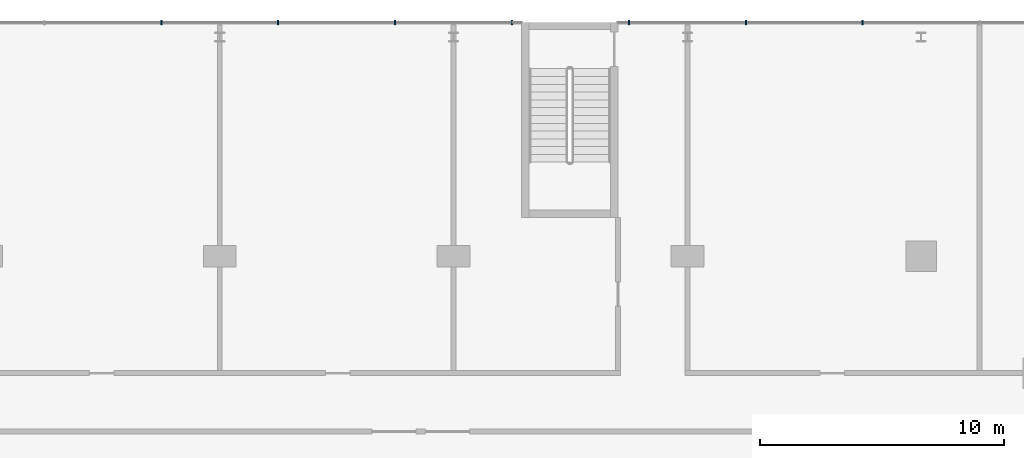
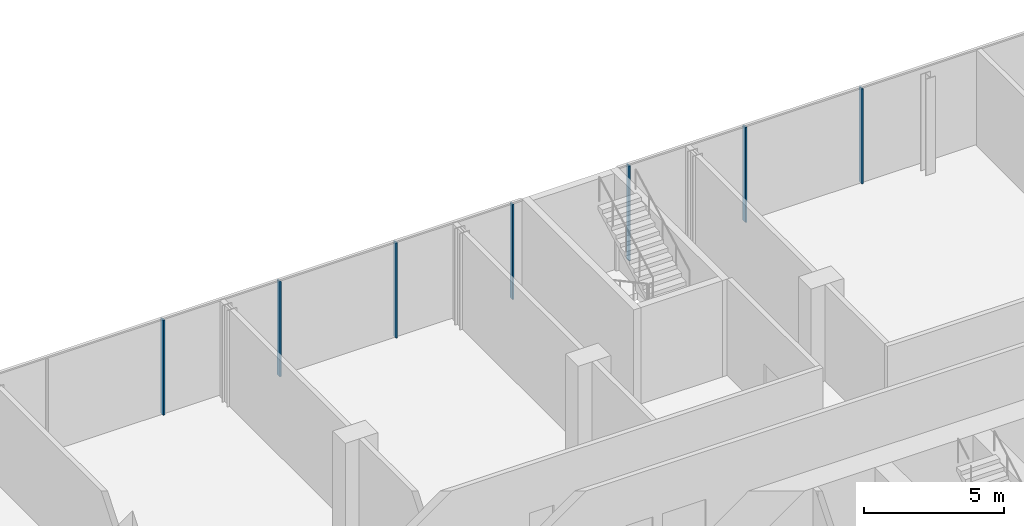
# One storey, part 19 of 45: 7 members, 1 element without a shape of its own.
"""IFC4 building model written with IfcOpenShell, lengths in metres."""

from ifc_helpers import new_model, si_unit, direction, frame, origin, origin_2d, place, context, subcontext, project, spatial, rectangle, extrude, material, layer, layer_set, material_profile, profile_set, type_object, element, aggregate, save


model = new_model("IFC4")

# Units and contexts
model_context = context("Model", 3, precision=1e-05, world=origin(), true_north=direction((0.0, 1.0)))
body_context = subcontext(model_context, "Body", "Model", "MODEL_VIEW")
ifc_project = project(units=[si_unit("LENGTHUNIT", "METRE"), si_unit("AREAUNIT", "SQUARE_METRE"), si_unit("VOLUMEUNIT", "CUBIC_METRE"), si_unit("PLANEANGLEUNIT", "RADIAN"), si_unit("MASSUNIT", "GRAM", prefix="KILO")], contexts=[model_context])

# Site, building, storey
site_placement = place(None, origin())
site = spatial("IfcSite", under=ifc_project, at=site_placement, CompositionType="ELEMENT")
building_placement = place(site_placement, origin())
building = spatial("IfcBuilding", under=site, at=building_placement, Name="Madar Terraces", CompositionType="ELEMENT")
storey_placement = place(building_placement, frame((0.0, 0.0, 6.0)))
storey = spatial("IfcBuildingStorey", under=building, at=storey_placement, Name="L01", CompositionType="ELEMENT", Elevation=6.0)

# Curtain wall, members
ifc_material_1 = material(Name="Glass, clear low-iron, with black aluminium frame", Category="aluminium")
ifc_layer = layer(ifc_material_1, 0.199951171875)
ifc_layer_set = layer_set([ifc_layer], Name="Facade curtain wall, shopfront glazing")
curtain_wall_type = type_object("IfcCurtainWallType", Name="Facade curtain wall, shopfront glazing", PredefinedType="NOTDEFINED", material=ifc_layer_set)
curtain_wall_placement = place(storey_placement, origin())
curtain_wall = element("IfcCurtainWall", 1, at=curtain_wall_placement, inside=storey, type_object=curtain_wall_type, Name="Outer skin curtain wall north bay 1", PredefinedType="NOTDEFINED")
ifc_material_2 = material(Name="Aluminium, black anodised", Category="aluminium")
ifc_material_profile = material_profile(ifc_material_2, rectangle(XDim=0.199951171875, YDim=0.06005859375, at=origin_2d()), Name="Facade mullion 60x200")
ifc_profile_set = profile_set([ifc_material_profile], Name="Aluminium, black anodised")
member_type = type_object("IfcMemberType", Name="Facade mullion 60x200", PredefinedType="MULLION", material=ifc_profile_set)
member_1_placement = place(storey_placement, frame((50.39990234375, 57.60009765625, 0.0), z_axis=(0.0, 0.0, 1.0), x_axis=(0.0, -1.0, 0.0)))
member_1 = element("IfcMember", 2, at=member_1_placement, type_object=member_type, Name="Mullion 3", PredefinedType="MULLION", context=body_context, shape_type="SweptSolid", body=[
    extrude(rectangle(XDim=0.199951171875, YDim=0.06005859375, at=origin_2d()), origin(), (0.0, 0.0, 1.0), 4.139892578125),
])
member_2_placement = place(storey_placement, frame((45.60009765625, 57.60009765625, 0.0), z_axis=(0.0, 0.0, 1.0), x_axis=(0.0, -1.0, 0.0)))
member_2 = element("IfcMember", 3, at=member_2_placement, type_object=member_type, Name="Mullion 4", PredefinedType="MULLION", context=body_context, shape_type="SweptSolid", body=[
    extrude(rectangle(XDim=0.199951171875, YDim=0.06005859375, at=origin_2d()), origin(), (0.0, 0.0, 1.0), 4.139892578125),
])
member_3_placement = place(storey_placement, frame((40.800048828125, 57.60009765625, 0.0), z_axis=(0.0, 0.0, 1.0), x_axis=(0.0, -1.0, 0.0)))
member_3 = element("IfcMember", 4, at=member_3_placement, type_object=member_type, Name="Mullion 5", PredefinedType="MULLION", context=body_context, shape_type="SweptSolid", body=[
    extrude(rectangle(XDim=0.199951171875, YDim=0.06005859375, at=origin_2d()), origin(), (0.0, 0.0, 1.0), 4.139892578125),
])
member_4_placement = place(storey_placement, frame((36.0, 57.60009765625, 0.0), z_axis=(0.0, 0.0, 1.0), x_axis=(0.0, -1.0, 0.0)))
member_4 = element("IfcMember", 5, at=member_4_placement, type_object=member_type, Name="Mullion 6", PredefinedType="MULLION", context=body_context, shape_type="SweptSolid", body=[
    extrude(rectangle(XDim=0.199951171875, YDim=0.06005859375, at=origin_2d()), origin(), (0.0, 0.0, 1.0), 4.139892578125),
])
member_5_placement = place(storey_placement, frame((31.199951171875, 57.60009765625, 0.0), z_axis=(0.0, 0.0, 1.0), x_axis=(0.0, -1.0, 0.0)))
member_5 = element("IfcMember", 6, at=member_5_placement, type_object=member_type, Name="Mullion 7", PredefinedType="MULLION", context=body_context, shape_type="SweptSolid", body=[
    extrude(rectangle(XDim=0.199951171875, YDim=0.06005859375, at=origin_2d()), origin(), (0.0, 0.0, 1.0), 4.139892578125),
])
member_6_placement = place(storey_placement, frame((26.39990234375, 57.60009765625, 0.0), z_axis=(0.0, 0.0, 1.0), x_axis=(0.0, -1.0, 0.0)))
member_6 = element("IfcMember", 7, at=member_6_placement, type_object=member_type, Name="Mullion 8", PredefinedType="MULLION", context=body_context, shape_type="SweptSolid", body=[
    extrude(rectangle(XDim=0.199951171875, YDim=0.06005859375, at=origin_2d()), origin(), (0.0, 0.0, 1.0), 4.139892578125),
])
member_7_placement = place(storey_placement, frame((21.60009765625, 57.60009765625, 0.0), z_axis=(0.0, 0.0, 1.0), x_axis=(0.0, -1.0, 0.0)))
member_7 = element("IfcMember", 8, at=member_7_placement, type_object=member_type, Name="Mullion 9", PredefinedType="MULLION", context=body_context, shape_type="SweptSolid", body=[
    extrude(rectangle(XDim=0.199951171875, YDim=0.06005859375, at=origin_2d()), origin(), (0.0, 0.0, 1.0), 4.139892578125),
])
aggregate(curtain_wall, [member_1, member_2, member_3, member_4, member_5, member_6, member_7])

save(model, "model.ifc")
